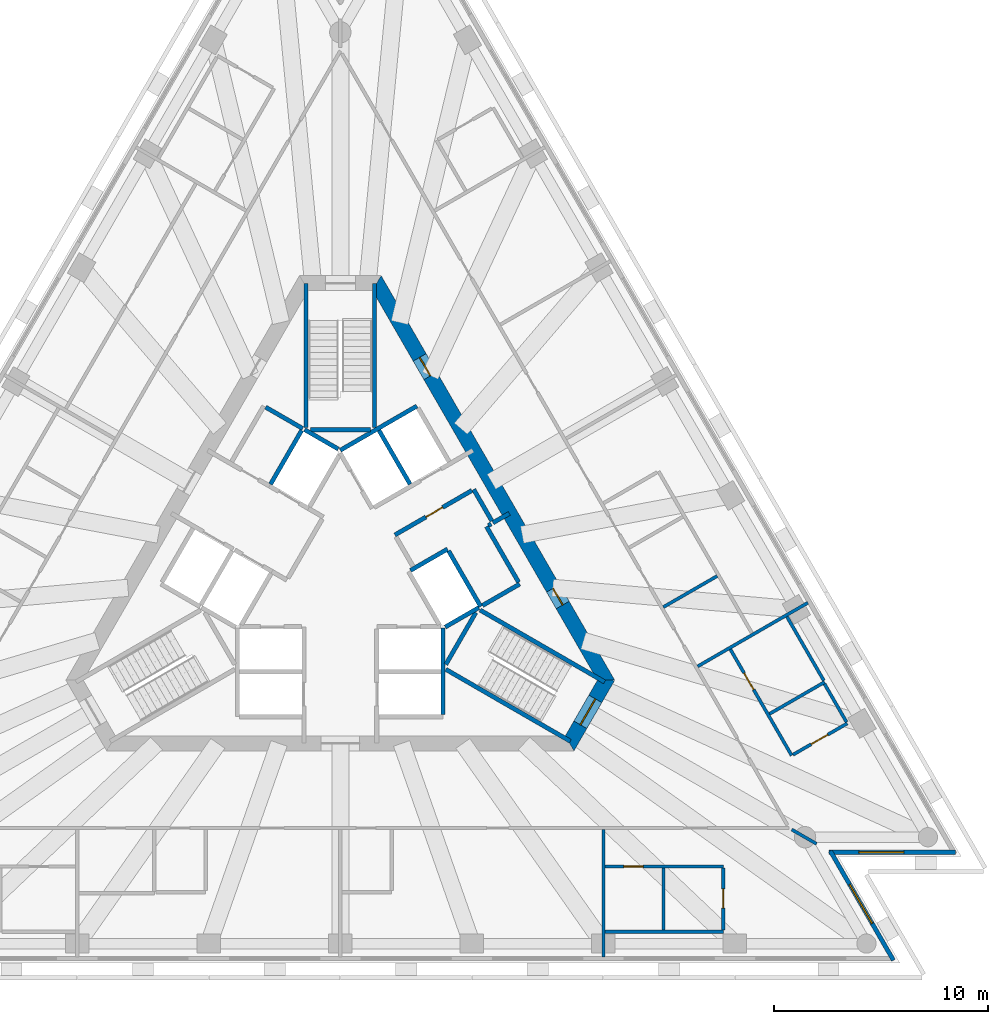
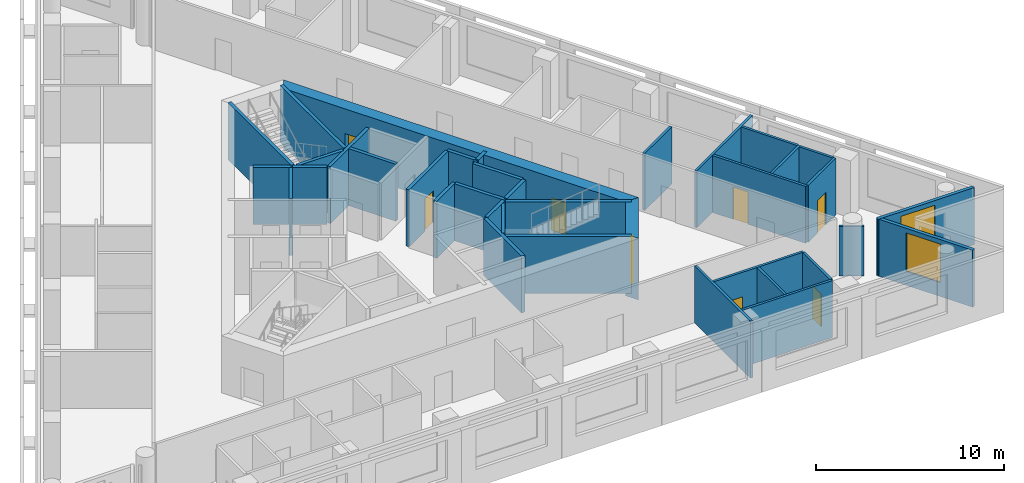
# One storey, part 5 of 9: 38 walls, 8 doors, 2 windows, 10 openings.
"""IFC4 building model written with IfcOpenShell, lengths in metres."""

from ifc_helpers import new_model, si_unit, direction, frame, frame_2d, origin, place, context, subcontext, project, spatial, polyline, rectangle, outline, extrude, material, layer, layer_set, layer_usage, type_object, element, fill, save


model = new_model("IFC4")

# Units and contexts
model_context = context("Model", 3, precision=1e-05, world=origin(), true_north=direction((0.0, 1.0)))
body_context = subcontext(model_context, "Body", "Model", "MODEL_VIEW")
ifc_project = project(units=[si_unit("LENGTHUNIT", "METRE"), si_unit("AREAUNIT", "SQUARE_METRE"), si_unit("VOLUMEUNIT", "CUBIC_METRE"), si_unit("PLANEANGLEUNIT", "RADIAN"), si_unit("MASSUNIT", "GRAM", prefix="KILO")], contexts=[model_context])

# Site, building, storey
site_placement = place(None, origin())
site = spatial("IfcSite", under=ifc_project, at=site_placement, CompositionType="ELEMENT")
building_placement = place(site_placement, origin())
building = spatial("IfcBuilding", under=site, at=building_placement, Name="Triada Interchange Tower", CompositionType="ELEMENT")
storey_placement = place(building_placement, frame((0.0, 0.0, 203.300048828125)))
storey = spatial("IfcBuildingStorey", under=building, at=storey_placement, Name="L47", CompositionType="ELEMENT", Elevation=203.300048828125)

# Walls
ifc_material_1 = material(Name="Concrete C30/37", Category="concrete")
ifc_layer_1 = layer(ifc_material_1, 0.199951171875)
ifc_layer_set_1 = layer_set([ifc_layer_1], Name="CORE WALL 200 EI 120")
wall_type_1 = type_object("IfcWallType", Name="CORE WALL 200 EI 120", PredefinedType="SOLIDWALL", material=ifc_layer_set_1)
wall_1_placement = place(storey_placement, frame((-0.001953125, 5.541015625, 0.0), z_axis=(0.0, 0.0, 1.0), x_axis=(0.86600155993, 0.500041296494, 0.0)))
element("IfcWall", 1, at=wall_1_placement, inside=storey, type_object=wall_type_1, Name="Wall L47 63", PredefinedType="SOLIDWALL", context=body_context, shape_type="SweptSolid", body=[
    extrude(rectangle(XDim=4.131591796875, YDim=0.199951171875, at=frame_2d((2.06591796875, 0.0))), origin(), (0.0, 0.0, 1.0), 3.699951171875),
])
wall_2_placement = place(storey_placement, frame((4.800048828125, -6.800048828125, 0.0), z_axis=(0.0, 0.0, 1.0), x_axis=(0.0, 1.0, 0.0)))
element("IfcWall", 2, at=wall_2_placement, inside=storey, type_object=wall_type_1, Name="Wall L47 68", PredefinedType="SOLIDWALL", context=body_context, shape_type="SweptSolid", body=[
    extrude(rectangle(XDim=4.029052734375, YDim=0.199951171875, at=frame_2d((2.0146484375, 0.0))), origin(), (0.0, 0.0, 1.0), 3.699951171875),
])
wall_3_placement = place(storey_placement, frame((3.278076171875, -0.071044921875, 0.0), z_axis=(0.0, 0.0, 1.0), x_axis=(0.865855657918, 0.500293893279, 0.0)))
element("IfcWall", 3, at=wall_3_placement, inside=storey, type_object=wall_type_1, Name="Wall L47 69", PredefinedType="SOLIDWALL", context=body_context, shape_type="SweptSolid", body=[
    extrude(rectangle(XDim=1.996826171875, YDim=0.199951171875, at=frame_2d((0.99853515625, 0.0))), origin(), (0.0, 0.0, 1.0), 3.699951171875),
])
wall_4_placement = place(storey_placement, frame((7.12890625, 2.153076171875, 0.0), z_axis=(0.0, 0.0, 1.0), x_axis=(0.866083962871, 0.499898558967, 0.0)))
element("IfcWall", 4, at=wall_4_placement, inside=storey, type_object=wall_type_1, Name="Wall L47 70", PredefinedType="SOLIDWALL", context=body_context, shape_type="SweptSolid", body=[
    extrude(rectangle(XDim=0.880126953125, YDim=0.199951171875, at=frame_2d((0.43994140625, 0.0))), origin(), (0.0, 0.0, 1.0), 3.699951171875),
])
wall_5_placement = place(storey_placement, frame((1.806884765625, 6.469970703125, 0.0), z_axis=(0.0, 0.0, 1.0), x_axis=(0.50012328804, -0.865954211699, 0.0)))
element("IfcWall", 5, at=wall_5_placement, inside=storey, type_object=wall_type_1, Name="Wall L47 72", PredefinedType="SOLIDWALL", context=body_context, shape_type="SweptSolid", body=[
    extrude(rectangle(XDim=2.899658203125, YDim=0.199951171875, at=frame_2d((1.44970703125, 0.0))), origin(), (0.0, 0.0, 1.0), 3.699951171875),
])
wall_6_placement = place(storey_placement, frame((5.056884765625, 0.841064453125, 0.0), z_axis=(0.0, 0.0, 1.0), x_axis=(0.499990139034, -0.866031096941, 0.0)))
element("IfcWall", 6, at=wall_6_placement, inside=storey, type_object=wall_type_1, Name="Wall L47 73", PredefinedType="SOLIDWALL", context=body_context, shape_type="SweptSolid", body=[
    extrude(rectangle(XDim=3.0, YDim=0.199951171875, at=frame_2d((1.5, 0.0))), origin(), (0.0, 0.0, 1.0), 3.699951171875),
])
wall_7_placement = place(storey_placement, frame((4.89990234375, -2.714111328125, 0.0), z_axis=(0.0, 0.0, 1.0), x_axis=(0.865846928409, 0.500309001083, 0.0)))
element("IfcWall", 7, at=wall_7_placement, inside=storey, type_object=wall_type_1, Name="Wall L47 74", PredefinedType="SOLIDWALL", context=body_context, shape_type="SweptSolid", body=[
    extrude(rectangle(XDim=1.813232421875, YDim=0.199951171875, at=frame_2d((0.90673828125, 0.0))), origin(), (0.0, 0.0, 1.0), 3.699951171875),
])
wall_8_placement = place(storey_placement, frame((6.22900390625, 3.7119140625, 0.0), z_axis=(0.0, 0.0, 1.0), x_axis=(0.499875724984, -0.86609714211, 0.0)))
element("IfcWall", 8, at=wall_8_placement, inside=storey, type_object=wall_type_1, Name="Wall L47 75", PredefinedType="SOLIDWALL", context=body_context, shape_type="SweptSolid", body=[
    extrude(rectangle(XDim=1.70068359375, YDim=0.199951171875, at=frame_2d((0.850341796875, 0.0))), origin(), (0.0, 0.0, 1.0), 3.699951171875),
])

# Wall, opening, door
wall_9_placement = place(storey_placement, frame((2.548095703125, 1.5869140625, 0.0), z_axis=(0.0, 0.0, 1.0), x_axis=(0.866004344652, 0.500036473714, 0.0)))
wall_9 = element("IfcWall", 9, at=wall_9_placement, inside=storey, type_object=wall_type_1, Name="Wall L47 76", PredefinedType="SOLIDWALL", context=body_context, shape_type="SweptSolid", body=[
    extrude(rectangle(XDim=4.150146484375, YDim=0.199951171875, at=frame_2d((2.0751953125, 0.0))), origin(), (0.0, 0.0, 1.0), 3.699951171875),
])
opening_1_placement = place(wall_9_placement, frame((1.675048828125, 0.0, 0.0)))
opening_1 = element("IfcOpeningElement", 10, at=opening_1_placement, cuts=wall_9, Name="Opening D47-51", PredefinedType="OPENING", context=body_context, shape_type="SweptSolid", body=[
    extrude(rectangle(XDim=0.89990234375, YDim=2.10009765625, at=frame_2d((0.449951171875, 1.050048828125))), frame((0.0, 0.10986328125, 0.0), z_axis=(0.0, -1.0, 0.0), x_axis=(1.0, 0.0, 0.0)), (0.0, 0.0, 1.0), 0.219970703125),
])
ifc_material_2 = material(Name="Steel S235 door leaf", Category="steel")
door_type_1 = type_object("IfcDoorType", Name="SERVICE DOOR 900 EI2 45-C5S200", OperationType="NOTDEFINED", PredefinedType="DOOR", material=ifc_material_2)
door_1_placement = place(opening_1_placement, origin())
door_1 = element("IfcDoor", 11, at=door_1_placement, inside=storey, type_object=door_type_1, Name="Door D47-51 L47", OperationType="SINGLE_SWING_RIGHT", OverallHeight=2.10009765625, OverallWidth=0.89990234375, PredefinedType="DOOR", context=body_context, shape_type="SweptSolid", body=[
    extrude(rectangle(XDim=0.89990234375, YDim=2.10009765625, at=frame_2d((0.449951171875, 1.050048828125))), frame((0.0, 0.02490234375, 0.0), z_axis=(0.0, -1.0, 0.0), x_axis=(1.0, 0.0, 0.0)), (0.0, 0.0, 1.0), 0.050048828125),
])
fill(opening_1, door_1)

# Walls
ifc_layer_2 = layer(ifc_material_1, 0.199951171875)
ifc_layer_set_2 = layer_set([ifc_layer_2], Name="CORE WALL 200 EI 180")
wall_type_2 = type_object("IfcWallType", Name="CORE WALL 200 EI 180", PredefinedType="SOLIDWALL", material=ifc_layer_set_2)
wall_10_placement = place(storey_placement, frame((-3.489013671875, 7.556884765625, 0.0), z_axis=(0.0, 0.0, 1.0), x_axis=(0.866010750942, -0.50002537861, 0.0)))
element("IfcWall", 12, at=wall_10_placement, inside=storey, type_object=wall_type_2, Name="Wall L47 83", PredefinedType="SOLIDWALL", context=body_context, shape_type="SweptSolid", body=[
    extrude(rectangle(XDim=2.0, YDim=0.199951171875, at=frame_2d((1.0, 0.0))), origin(), (0.0, 0.0, 1.0), 3.699951171875),
])
wall_11_placement = place(storey_placement, frame((-3.257080078125, 3.958984375, 0.0), z_axis=(0.0, 0.0, 1.0), x_axis=(0.50012328804, 0.865954211699, 0.0)))
element("IfcWall", 13, at=wall_11_placement, inside=storey, type_object=wall_type_2, Name="Shaft wall FF2 L47 90", PredefinedType="SOLIDWALL", context=body_context, shape_type="SweptSolid", body=[
    extrude(rectangle(XDim=2.899658203125, YDim=0.199951171875, at=frame_2d((1.44970703125, 0.0))), origin(), (0.0, 0.0, 1.0), 3.699951171875),
])
wall_12_placement = place(storey_placement, frame((-1.669921875, 6.507080078125, 0.0), z_axis=(0.0, 0.0, 1.0), x_axis=(0.865941441609, -0.500145398563, 0.0)))
element("IfcWall", 14, at=wall_12_placement, inside=storey, type_object=wall_type_2, Name="Shaft wall FF2 L47 91", PredefinedType="SOLIDWALL", context=body_context, shape_type="SweptSolid", body=[
    extrude(rectangle(XDim=1.8154296875, YDim=0.199951171875, at=frame_2d((0.90771484375, 0.0))), origin(), (0.0, 0.0, 1.0), 3.699951171875),
])
ifc_layer_3 = layer(ifc_material_1, 0.199951171875)
ifc_layer_set_3 = layer_set([ifc_layer_3], Name="CORE WALL 200 EI 90")
wall_type_3 = type_object("IfcWallType", Name="CORE WALL 200 EI 90", PredefinedType="SOLIDWALL", material=ifc_layer_set_3)
wall_13_placement = place(storey_placement, frame((6.64208984375, -1.7080078125, 0.0), z_axis=(0.0, 0.0, 1.0), x_axis=(0.866043441391, 0.499968756647, 0.0)))
element("IfcWall", 15, at=wall_13_placement, inside=storey, type_object=wall_type_3, Name="Wall L47 93", PredefinedType="SOLIDWALL", context=body_context, shape_type="SweptSolid", body=[
    extrude(rectangle(XDim=2.002197265625, YDim=0.199951171875, at=frame_2d((1.0009765625, 0.0))), origin(), (0.0, 0.0, 1.0), 3.699951171875),
])
wall_14_placement = place(storey_placement, frame((6.825927734375, 1.97802734375, 0.0), z_axis=(0.0, 0.0, 1.0), x_axis=(0.499990139034, -0.866031096941, 0.0)))
element("IfcWall", 16, at=wall_14_placement, inside=storey, type_object=wall_type_3, Name="Wall L47 94", PredefinedType="SOLIDWALL", context=body_context, shape_type="SweptSolid", body=[
    extrude(rectangle(XDim=3.0, YDim=0.199951171875, at=frame_2d((1.5, 0.0))), origin(), (0.0, 0.0, 1.0), 3.699951171875),
])
wall_15_placement = place(storey_placement, frame((6.912109375, 2.028076171875, 0.0), z_axis=(0.0, 0.0, 1.0), x_axis=(0.866559367082, 0.499074005857, 0.0)))
element("IfcWall", 17, at=wall_15_placement, inside=storey, type_object=wall_type_3, Name="Wall L47 95", PredefinedType="SOLIDWALL", context=body_context, shape_type="SweptSolid", body=[
    extrude(rectangle(XDim=0.152099609375, YDim=0.199951171875, at=frame_2d((0.076171875, 0.0))), origin(), (0.0, 0.0, 1.0), 3.699951171875),
])
ifc_layer_4 = layer(ifc_material_1, 0.199951171875)
ifc_layer_set_4 = layer_set([ifc_layer_4], Name="CORE WALL 200 REI 240")
wall_type_4 = type_object("IfcWallType", Name="CORE WALL 200 REI 240", PredefinedType="SOLIDWALL", material=ifc_layer_set_4)
wall_16_placement = place(storey_placement, frame((1.60009765625, 6.614990234375, 0.0), z_axis=(0.0, 0.0, 1.0), x_axis=(0.0, 1.0, 0.0)))
element("IfcWall", 18, at=wall_16_placement, inside=storey, type_object=wall_type_4, Name="Wall L47 99", PredefinedType="SOLIDWALL", context=body_context, shape_type="SweptSolid", body=[
    extrude(rectangle(XDim=6.715087890625, YDim=0.199951171875, at=frame_2d((3.357421875, 0.0))), origin(), (0.0, 0.0, 1.0), 3.699951171875),
])
wall_17_placement = place(storey_placement, frame((-1.39990234375, 6.5, 0.0), z_axis=(0.0, 0.0, 1.0), x_axis=(1.0, 0.0, 0.0)))
element("IfcWall", 19, at=wall_17_placement, inside=storey, type_object=wall_type_4, Name="Wall L47 100", PredefinedType="SOLIDWALL", context=body_context, shape_type="SweptSolid", body=[
    extrude(rectangle(XDim=2.7998046875, YDim=0.199951171875, at=frame_2d((1.39990234375, 0.0))), origin(), (0.0, 0.0, 1.0), 3.699951171875),
])
wall_18_placement = place(storey_placement, frame((-1.60009765625, 6.614990234375, 0.0), z_axis=(0.0, 0.0, 1.0), x_axis=(0.0, 1.0, 0.0)))
element("IfcWall", 20, at=wall_18_placement, inside=storey, type_object=wall_type_4, Name="Wall L47 101", PredefinedType="SOLIDWALL", context=body_context, shape_type="SweptSolid", body=[
    extrude(rectangle(XDim=6.715087890625, YDim=0.199951171875, at=frame_2d((3.357421875, 0.0))), origin(), (0.0, 0.0, 1.0), 3.699951171875),
])
wall_19_placement = place(storey_placement, frame((4.928955078125, -4.693115234375, 0.0), z_axis=(0.0, 0.0, 1.0), x_axis=(0.865983344943, -0.500072840975, 0.0)))
element("IfcWall", 21, at=wall_19_placement, inside=storey, type_object=wall_type_4, Name="Wall L47 102", PredefinedType="SOLIDWALL", context=body_context, shape_type="SweptSolid", body=[
    extrude(rectangle(XDim=6.71484375, YDim=0.199951171875, at=frame_2d((3.357421875, 0.0))), origin(), (0.0, 0.0, 1.0), 3.699951171875),
])
wall_20_placement = place(storey_placement, frame((4.928955078125, -4.4619140625, 0.0), z_axis=(0.0, 0.0, 1.0), x_axis=(0.500200581029, 0.865909567298, 0.0)))
element("IfcWall", 22, at=wall_20_placement, inside=storey, type_object=wall_type_4, Name="Wall L47 103", PredefinedType="SOLIDWALL", context=body_context, shape_type="SweptSolid", body=[
    extrude(rectangle(XDim=2.799072265625, YDim=0.199951171875, at=frame_2d((1.3994140625, 0.0))), origin(), (0.0, 0.0, 1.0), 3.699951171875),
])
wall_21_placement = place(storey_placement, frame((6.529052734375, -1.922119140625, 0.0), z_axis=(0.0, 0.0, 1.0), x_axis=(0.866046323291, -0.499963764601, 0.0)))
element("IfcWall", 23, at=wall_21_placement, inside=storey, type_object=wall_type_4, Name="Wall L47 104", PredefinedType="SOLIDWALL", context=body_context, shape_type="SweptSolid", body=[
    extrude(rectangle(XDim=6.71435546875, YDim=0.199951171875, at=frame_2d((3.357177734375, 0.0))), origin(), (0.0, 0.0, 1.0), 3.699951171875),
])

# Wall, opening, door
ifc_material_3 = material(Name="Concrete C50/60", Category="concrete")
ifc_layer_5 = layer(ifc_material_3, 0.699951171875)
ifc_layer_set_5 = layer_set([ifc_layer_5], Name="Core wall C 700")
wall_type_5 = type_object("IfcWallType", Name="Core wall C 700", PredefinedType="SHEAR", material=ifc_layer_set_5)
wall_22_placement = place(storey_placement, frame((10.7099609375, -8.14990234375, -0.300048828125), z_axis=(0.0, 0.0, 1.0), x_axis=(0.49999337185, 0.866029230515, 0.0)))
wall_22 = element("IfcWall", 24, at=wall_22_placement, inside=storey, type_object=wall_type_5, Name="Core wall WC05 L47", PredefinedType="SHEAR", context=body_context, shape_type="SweptSolid", body=[
    extrude(outline(polyline([(-0.201904296875, -0.35009765625), (1.703125, -0.35009765625), (3.60791015625, -0.35009765625), (3.2041015625, 0.35009765625), (1.703125, 0.35009765625), (0.201904296875, 0.35009765625), (-0.201904296875, -0.35009765625)])), origin(), (0.0, 0.0, 1.0), 4.0),
])
opening_2_placement = place(wall_22_placement, frame((1.0029296875, 0.0, 0.300048828125)))
opening_2 = element("IfcOpeningElement", 25, at=opening_2_placement, cuts=wall_22, Name="Opening D47-46", PredefinedType="OPENING", context=body_context, shape_type="SweptSolid", body=[
    extrude(rectangle(XDim=1.39990234375, YDim=2.10009765625, at=frame_2d((0.699951171875, 1.050048828125))), frame((0.0, 0.360107421875, 0.0), z_axis=(0.0, -1.0, 0.0), x_axis=(1.0, 0.0, 0.0)), (0.0, 0.0, 1.0), 0.72021484375),
])
door_type_2 = type_object("IfcDoorType", Name="STAIR DOOR 1400 EI2 90-C5S200", OperationType="DOUBLE_DOOR_SINGLE_SWING", PredefinedType="DOOR", material=ifc_material_2)
door_2_placement = place(opening_2_placement, origin())
door_2 = element("IfcDoor", 26, at=door_2_placement, inside=storey, type_object=door_type_2, Name="Door D47-46 L47", OperationType="DOUBLE_DOOR_SINGLE_SWING", OverallHeight=2.10009765625, OverallWidth=1.39990234375, PredefinedType="DOOR", context=body_context, shape_type="SweptSolid", body=[
    extrude(rectangle(XDim=1.39990234375, YDim=2.10009765625, at=frame_2d((0.699951171875, 1.050048828125))), frame((0.0, 0.02490234375, 0.0), z_axis=(0.0, -1.0, 0.0), x_axis=(1.0, 0.0, 0.0)), (0.0, 0.0, 1.0), 0.050048828125),
])
fill(opening_2, door_2)

# Wall, openings, doors
wall_23_placement = place(storey_placement, frame((12.4130859375, -5.199951171875, -0.300048828125), z_axis=(0.0, 0.0, 1.0), x_axis=(-0.500011533395, 0.866018744874, 0.0)))
wall_23 = element("IfcWall", 27, at=wall_23_placement, inside=storey, type_object=wall_type_5, Name="Core wall WC06 L47", PredefinedType="SHEAR", context=body_context, shape_type="SweptSolid", body=[
    extrude(outline(polyline([(-0.201904296875, -0.35009765625), (1.781982421875, -0.35009765625), (3.76611328125, -0.35009765625), (5.75, -0.35009765625), (7.734130859375, -0.35009765625), (9.718017578125, -0.35009765625), (11.7021484375, -0.35009765625), (13.68603515625, -0.35009765625), (15.670166015625, -0.35009765625), (17.654052734375, -0.35009765625), (19.63818359375, -0.35009765625), (21.6220703125, -0.35009765625), (21.218017578125, 0.35009765625), (19.307373046875, 0.35009765625), (17.39697265625, 0.35009765625), (15.486328125, 0.35009765625), (13.57568359375, 0.35009765625), (11.665283203125, 0.35009765625), (9.754638671875, 0.35009765625), (7.84423828125, 0.35009765625), (5.93359375, 0.35009765625), (4.02294921875, 0.35009765625), (2.112548828125, 0.35009765625), (0.201904296875, 0.35009765625), (-0.201904296875, -0.35009765625)])), origin(), (0.0, 0.0, 1.0), 4.0),
])
opening_3_placement = place(wall_23_placement, frame((4.054931640625, 0.0, 0.300048828125)))
opening_3 = element("IfcOpeningElement", 28, at=opening_3_placement, cuts=wall_23, Name="Opening D47-48", PredefinedType="OPENING", context=body_context, shape_type="SweptSolid", body=[
    extrude(rectangle(XDim=0.89990234375, YDim=2.10009765625, at=frame_2d((0.449951171875, 1.050048828125))), frame((0.0, 0.360107421875, 0.0), z_axis=(0.0, -1.0, 0.0), x_axis=(1.0, 0.0, 0.0)), (0.0, 0.0, 1.0), 0.72021484375),
])
opening_4_placement = place(wall_23_placement, frame((16.4150390625, 0.0, 0.300048828125)))
opening_4 = element("IfcOpeningElement", 29, at=opening_4_placement, cuts=wall_23, Name="Opening D47-50", PredefinedType="OPENING", context=body_context, shape_type="SweptSolid", body=[
    extrude(rectangle(XDim=1.0, YDim=2.10009765625, at=frame_2d((0.5, 1.050048828125))), frame((0.0, 0.360107421875, 0.0), z_axis=(0.0, -1.0, 0.0), x_axis=(1.0, 0.0, 0.0)), (0.0, 0.0, 1.0), 0.72021484375),
])
door_type_3 = type_object("IfcDoorType", Name="RISER ACCESS DOOR 900 EI2 45-C5S200", OperationType="NOTDEFINED", PredefinedType="DOOR", material=ifc_material_2)
door_3_placement = place(opening_3_placement, origin())
door_3 = element("IfcDoor", 30, at=door_3_placement, inside=storey, type_object=door_type_3, Name="Door D47-48 L47", OperationType="SINGLE_SWING_RIGHT", OverallHeight=2.10009765625, OverallWidth=0.89990234375, PredefinedType="DOOR", context=body_context, shape_type="SweptSolid", body=[
    extrude(rectangle(XDim=0.89990234375, YDim=2.10009765625, at=frame_2d((0.449951171875, 1.050048828125))), frame((0.0, 0.02490234375, 0.0), z_axis=(0.0, -1.0, 0.0), x_axis=(1.0, 0.0, 0.0)), (0.0, 0.0, 1.0), 0.050048828125),
])
fill(opening_3, door_3)
door_type_4 = type_object("IfcDoorType", Name="SERVICE DOOR 1000 EI2 45-C5S200", OperationType="NOTDEFINED", PredefinedType="DOOR", material=ifc_material_2)
door_4_placement = place(opening_4_placement, origin())
door_4 = element("IfcDoor", 31, at=door_4_placement, inside=storey, type_object=door_type_4, Name="Door D47-50 L47", OperationType="SINGLE_SWING_RIGHT", OverallHeight=2.10009765625, OverallWidth=1.0, PredefinedType="DOOR", context=body_context, shape_type="SweptSolid", body=[
    extrude(rectangle(XDim=1.0, YDim=2.10009765625, at=frame_2d((0.5, 1.050048828125))), frame((0.0, 0.02490234375, 0.0), z_axis=(0.0, -1.0, 0.0), x_axis=(1.0, 0.0, 0.0)), (0.0, 0.0, 1.0), 0.050048828125),
])
fill(opening_4, door_4)

# Wall, opening, window
ifc_material_4 = material(Name="Cement board")
ifc_layer_6 = layer(ifc_material_4, 0.02001953125, Name="Cement board cladding")
ifc_material_5 = material(Name="Sheathing board")
ifc_layer_7 = layer(ifc_material_5, 0.014892578125, Name="Sheathing board")
ifc_material_6 = material(Name="Mineral wool")
ifc_layer_8 = layer(ifc_material_6, 0.14990234375, Name="Mineral wool between steel studs")
ifc_material_7 = material(Name="Gypsum board")
ifc_layer_9 = layer(ifc_material_7, 0.014892578125, Name="Plasterboard lining")
ifc_layer_set_6 = layer_set([ifc_layer_6, ifc_layer_7, ifc_layer_8, ifc_layer_9], Name="External wall 200")
ifc_layer_usage = layer_usage(ifc_layer_set_6, "AXIS2", "POSITIVE", -0.10009765625)
wall_type_6 = type_object("IfcWallType", Name="External wall 200", PredefinedType="ELEMENTEDWALL", material=ifc_layer_set_6)
wall_24_placement = place(storey_placement, frame((25.8349609375, -18.280029296875, 0.0), z_axis=(0.0, 0.0, 1.0), x_axis=(-0.499989993172, 0.866031181152, 0.0)))
wall_24 = element("IfcWall", 32, at=wall_24_placement, inside=storey, type_object=wall_type_6, material=ifc_layer_usage, Name="External wall L47 SE-1", PredefinedType="ELEMENTEDWALL", context=body_context, shape_type="SweptSolid", body=[
    extrude(rectangle(XDim=5.89794921875, YDim=0.199951171875, at=frame_2d((2.948974609375, 0.0))), origin(), (0.0, 0.0, 1.0), 3.699951171875),
])
opening_5_placement = place(wall_24_placement, frame((1.989990234375, 0.0, 0.89990234375)))
opening_5 = element("IfcOpeningElement", 33, at=opening_5_placement, cuts=wall_24, Name="Opening WC19", PredefinedType="OPENING", context=body_context, shape_type="SweptSolid", body=[
    extrude(rectangle(XDim=2.10009765625, YDim=2.5, at=frame_2d((1.050048828125, 1.25))), frame((0.0, 0.10986328125, 0.0), z_axis=(0.0, -1.0, 0.0), x_axis=(1.0, 0.0, 0.0)), (0.0, 0.0, 1.0), 0.219970703125),
])
ifc_material_8 = material(Name="Double glazed aluminium window", Category="aluminium")
window_type = type_object("IfcWindowType", Name="Ribbon window C pocket", PartitioningType="SINGLE_PANEL", PredefinedType="WINDOW", material=ifc_material_8)
window_1_placement = place(opening_5_placement, origin())
window_1 = element("IfcWindow", 34, at=window_1_placement, inside=storey, type_object=window_type, Name="Window L47 SE-1 1", OverallHeight=2.5, OverallWidth=2.10009765625, PartitioningType="SINGLE_PANEL", PredefinedType="WINDOW", context=body_context, shape_type="SweptSolid", body=[
    extrude(rectangle(XDim=2.10009765625, YDim=2.5, at=frame_2d((1.050048828125, 1.25))), frame((0.0, 0.030029296875, 0.0), z_axis=(0.0, -1.0, 0.0), x_axis=(1.0, 0.0, 0.0)), (0.0, 0.0, 1.0), 0.06005859375),
])
fill(opening_5, window_1)

wall_25_placement = place(storey_placement, frame((22.8310546875, -13.23291015625, 0.0), z_axis=(0.0, 0.0, 1.0), x_axis=(1.0, 0.0, 0.0)))
wall_25 = element("IfcWall", 35, at=wall_25_placement, inside=storey, type_object=wall_type_6, material=ifc_layer_usage, Name="External wall L47 SE-2", PredefinedType="ELEMENTEDWALL", context=body_context, shape_type="SweptSolid", body=[
    extrude(rectangle(XDim=5.89794921875, YDim=0.199951171875, at=frame_2d((2.948974609375, 0.0))), origin(), (0.0, 0.0, 1.0), 3.699951171875),
])
opening_6_placement = place(wall_25_placement, frame((1.389892578125, 0.0, 0.89990234375)))
opening_6 = element("IfcOpeningElement", 36, at=opening_6_placement, cuts=wall_25, Name="Opening WC20", PredefinedType="OPENING", context=body_context, shape_type="SweptSolid", body=[
    extrude(rectangle(XDim=2.10009765625, YDim=2.5, at=frame_2d((1.050048828125, 1.25))), frame((0.0, 0.10986328125, 0.0), z_axis=(0.0, -1.0, 0.0), x_axis=(1.0, 0.0, 0.0)), (0.0, 0.0, 1.0), 0.219970703125),
])
window_2_placement = place(opening_6_placement, origin())
window_2 = element("IfcWindow", 37, at=window_2_placement, inside=storey, type_object=window_type, Name="Window L47 SE-2 1", OverallHeight=2.5, OverallWidth=2.10009765625, PartitioningType="SINGLE_PANEL", PredefinedType="WINDOW", context=body_context, shape_type="SweptSolid", body=[
    extrude(rectangle(XDim=2.10009765625, YDim=2.5, at=frame_2d((1.050048828125, 1.25))), frame((0.0, 0.030029296875, 0.0), z_axis=(0.0, -1.0, 0.0), x_axis=(1.0, 0.0, 0.0)), (0.0, 0.0, 1.0), 0.06005859375),
])
fill(opening_6, window_2)

# Walls
ifc_material_9 = material(Name="Gypsum board partition")
ifc_layer_10 = layer(ifc_material_9, 0.14990234375)
ifc_layer_set_7 = layer_set([ifc_layer_10], Name="PARTITION 150 EI 180")
wall_type_7 = type_object("IfcWallType", Name="PARTITION 150 EI 180", PredefinedType="PARTITIONING", material=ifc_layer_set_7)
wall_26_placement = place(storey_placement, frame((21.0869140625, -12.175048828125, 0.0), z_axis=(0.0, 0.0, 1.0), x_axis=(0.8662585361, -0.499595985407, 0.0)))
element("IfcWall", 38, at=wall_26_placement, inside=storey, type_object=wall_type_7, Name="Wall L47 10", PredefinedType="PARTITIONING", context=body_context, shape_type="SweptSolid", body=[
    extrude(rectangle(XDim=1.3369140625, YDim=0.14990234375, at=frame_2d((0.66845703125, 0.0))), origin(), (0.0, 0.0, 1.0), 3.199951171875),
])
wall_27_placement = place(storey_placement, frame((12.2890625, -18.1220703125, 0.0), z_axis=(0.0, 0.0, 1.0), x_axis=(0.0, 1.0, 0.0)))
element("IfcWall", 39, at=wall_27_placement, inside=storey, type_object=wall_type_7, Name="Wall L47 27", PredefinedType="PARTITIONING", context=body_context, shape_type="SweptSolid", body=[
    extrude(rectangle(XDim=5.947021484375, YDim=0.14990234375, at=frame_2d((2.9736328125, 0.0))), origin(), (0.0, 0.0, 1.0), 3.699951171875),
])
wall_28_placement = place(storey_placement, frame((15.087890625, -1.783935546875, 0.0), z_axis=(0.0, 0.0, 1.0), x_axis=(0.866034280428, 0.499984624887, 0.0)))
element("IfcWall", 40, at=wall_28_placement, inside=storey, type_object=wall_type_7, Name="Wall L47 29", PredefinedType="PARTITIONING", context=body_context, shape_type="SweptSolid", body=[
    extrude(rectangle(XDim=2.90185546875, YDim=0.14990234375, at=frame_2d((1.450927734375, 0.0))), origin(), (0.0, 0.0, 1.0), 3.699951171875),
])
wall_29_placement = place(storey_placement, frame((16.68798828125, -4.554931640625, 0.0), z_axis=(0.0, 0.0, 1.0), x_axis=(0.866034527326, 0.49998419723, 0.0)))
element("IfcWall", 41, at=wall_29_placement, inside=storey, type_object=wall_type_7, Name="Wall L47 30", PredefinedType="PARTITIONING", context=body_context, shape_type="SweptSolid", body=[
    extrude(rectangle(XDim=5.947998046875, YDim=0.14990234375, at=frame_2d((2.97412109375, 0.0))), origin(), (0.0, 0.0, 1.0), 3.699951171875),
])

# Wall, opening, door
ifc_layer_11 = layer(ifc_material_9, 0.14990234375)
ifc_layer_set_8 = layer_set([ifc_layer_11], Name="PARTITION 150 EI 90")
wall_type_8 = type_object("IfcWallType", Name="PARTITION 150 EI 90", PredefinedType="PARTITIONING", material=ifc_layer_set_8)
wall_30_placement = place(storey_placement, frame((12.364013671875, -13.89990234375, 0.0), z_axis=(0.0, 0.0, 1.0), x_axis=(1.0, 0.0, 0.0)))
wall_30 = element("IfcWall", 42, at=wall_30_placement, inside=storey, type_object=wall_type_8, Name="Wall L47 33", PredefinedType="PARTITIONING", context=body_context, shape_type="SweptSolid", body=[
    extrude(rectangle(XDim=5.52490234375, YDim=0.14990234375, at=frame_2d((2.762451171875, 0.0))), origin(), (0.0, 0.0, 1.0), 3.699951171875),
])
opening_7_placement = place(wall_30_placement, frame((0.875, 0.0, 0.0)))
opening_7 = element("IfcOpeningElement", 43, at=opening_7_placement, cuts=wall_30, Name="Opening D47-20", PredefinedType="OPENING", context=body_context, shape_type="SweptSolid", body=[
    extrude(rectangle(XDim=0.89990234375, YDim=2.10009765625, at=frame_2d((0.449951171875, 1.050048828125))), frame((0.0, 0.0849609375, 0.0), z_axis=(0.0, -1.0, 0.0), x_axis=(1.0, 0.0, 0.0)), (0.0, 0.0, 1.0), 0.169921875),
])
door_type_5 = type_object("IfcDoorType", Name="ROOM DOOR 900 EI2 45-C5S200", OperationType="NOTDEFINED", PredefinedType="DOOR", material=ifc_material_2)
door_5_placement = place(opening_7_placement, origin())
door_5 = element("IfcDoor", 44, at=door_5_placement, inside=storey, type_object=door_type_5, Name="Door D47-20 L47", OperationType="SINGLE_SWING_RIGHT", OverallHeight=2.10009765625, OverallWidth=0.89990234375, PredefinedType="DOOR", context=body_context, shape_type="SweptSolid", body=[
    extrude(rectangle(XDim=0.89990234375, YDim=2.10009765625, at=frame_2d((0.449951171875, 1.050048828125))), frame((0.0, 0.02490234375, 0.0), z_axis=(0.0, -1.0, 0.0), x_axis=(1.0, 0.0, 0.0)), (0.0, 0.0, 1.0), 0.050048828125),
])
fill(opening_7, door_5)

# Wall
wall_31_placement = place(storey_placement, frame((12.364013671875, -16.950927734375, 0.0), z_axis=(0.0, 0.0, 1.0), x_axis=(1.0, 0.0, 0.0)))
element("IfcWall", 45, at=wall_31_placement, inside=storey, type_object=wall_type_8, Name="Wall L47 37", PredefinedType="PARTITIONING", context=body_context, shape_type="SweptSolid", body=[
    extrude(rectangle(XDim=5.52490234375, YDim=0.14990234375, at=frame_2d((2.762451171875, 0.0))), origin(), (0.0, 0.0, 1.0), 3.699951171875),
])

# Wall, opening, door
wall_32_placement = place(storey_placement, frame((17.888916015625, -16.8759765625, 0.0), z_axis=(0.0, 0.0, 1.0), x_axis=(0.0, 1.0, 0.0)))
wall_32 = element("IfcWall", 46, at=wall_32_placement, inside=storey, type_object=wall_type_8, Name="Wall L47 43", PredefinedType="PARTITIONING", context=body_context, shape_type="SweptSolid", body=[
    extrude(rectangle(XDim=2.90087890625, YDim=0.14990234375, at=frame_2d((1.450439453125, 0.0))), origin(), (0.0, 0.0, 1.0), 3.699951171875),
])
opening_8_placement = place(wall_32_placement, frame((1.02587890625, 0.0, 0.0)))
opening_8 = element("IfcOpeningElement", 47, at=opening_8_placement, cuts=wall_32, Name="Opening D47-21", PredefinedType="OPENING", context=body_context, shape_type="SweptSolid", body=[
    extrude(rectangle(XDim=0.89990234375, YDim=2.10009765625, at=frame_2d((0.449951171875, 1.050048828125))), frame((0.0, 0.0849609375, 0.0), z_axis=(0.0, -1.0, 0.0), x_axis=(1.0, 0.0, 0.0)), (0.0, 0.0, 1.0), 0.169921875),
])
door_6_placement = place(opening_8_placement, origin())
door_6 = element("IfcDoor", 48, at=door_6_placement, inside=storey, type_object=door_type_5, Name="Door D47-21 L47", OperationType="SINGLE_SWING_LEFT", OverallHeight=2.10009765625, OverallWidth=0.89990234375, PredefinedType="DOOR", context=body_context, shape_type="SweptSolid", body=[
    extrude(rectangle(XDim=0.89990234375, YDim=2.10009765625, at=frame_2d((0.449951171875, 1.050048828125))), frame((0.0, 0.02490234375, 0.0), z_axis=(0.0, -1.0, 0.0), x_axis=(1.0, 0.0, 0.0)), (0.0, 0.0, 1.0), 0.050048828125),
])
fill(opening_8, door_6)

# Walls
wall_33_placement = place(storey_placement, frame((15.089111328125, -16.8759765625, 0.0), z_axis=(0.0, 0.0, 1.0), x_axis=(0.0, 1.0, 0.0)))
element("IfcWall", 49, at=wall_33_placement, inside=storey, type_object=wall_type_8, Name="Wall L47 44", PredefinedType="PARTITIONING", context=body_context, shape_type="SweptSolid", body=[
    extrude(rectangle(XDim=2.90087890625, YDim=0.14990234375, at=frame_2d((1.450439453125, 0.0))), origin(), (0.0, 0.0, 1.0), 3.699951171875),
])
wall_34_placement = place(storey_placement, frame((20.047119140625, -6.77197265625, 0.0), z_axis=(0.0, 0.0, 1.0), x_axis=(0.865987462095, 0.500065711177, 0.0)))
element("IfcWall", 50, at=wall_34_placement, inside=storey, type_object=wall_type_8, Name="Wall L47 45", PredefinedType="PARTITIONING", context=body_context, shape_type="SweptSolid", body=[
    extrude(rectangle(XDim=2.9755859375, YDim=0.14990234375, at=frame_2d((1.48779296875, 0.0))), origin(), (0.0, 0.0, 1.0), 3.699951171875),
])
wall_35_placement = place(storey_placement, frame((20.862060546875, -2.23193359375, 0.0), z_axis=(0.0, 0.0, 1.0), x_axis=(0.499936846106, -0.866061862632, 0.0)))
element("IfcWall", 51, at=wall_35_placement, inside=storey, type_object=wall_type_8, Name="Wall L47 47", PredefinedType="PARTITIONING", context=body_context, shape_type="SweptSolid", body=[
    extrude(rectangle(XDim=3.4501953125, YDim=0.14990234375, at=frame_2d((1.72509765625, 0.0))), origin(), (0.0, 0.0, 1.0), 3.699951171875),
])

# Wall, opening, door
wall_36_placement = place(storey_placement, frame((18.219970703125, -3.757080078125, 0.0), z_axis=(0.0, 0.0, 1.0), x_axis=(0.499941490393, -0.866059181686, 0.0)))
wall_36 = element("IfcWall", 52, at=wall_36_placement, inside=storey, type_object=wall_type_8, Name="Wall L47 49", PredefinedType="PARTITIONING", context=body_context, shape_type="SweptSolid", body=[
    extrude(rectangle(XDim=5.724853515625, YDim=0.14990234375, at=frame_2d((2.8623046875, 0.0))), origin(), (0.0, 0.0, 1.0), 3.699951171875),
])
opening_9_placement = place(wall_36_placement, frame((1.27490234375, 0.0, 0.0)))
opening_9 = element("IfcOpeningElement", 53, at=opening_9_placement, cuts=wall_36, Name="Opening D47-23", PredefinedType="OPENING", context=body_context, shape_type="SweptSolid", body=[
    extrude(rectangle(XDim=0.89990234375, YDim=2.10009765625, at=frame_2d((0.449951171875, 1.050048828125))), frame((0.0, 0.0849609375, 0.0), z_axis=(0.0, -1.0, 0.0), x_axis=(1.0, 0.0, 0.0)), (0.0, 0.0, 1.0), 0.169921875),
])
door_7_placement = place(opening_9_placement, origin())
door_7 = element("IfcDoor", 54, at=door_7_placement, inside=storey, type_object=door_type_5, Name="Door D47-23 L47", OperationType="SINGLE_SWING_LEFT", OverallHeight=2.10009765625, OverallWidth=0.89990234375, PredefinedType="DOOR", context=body_context, shape_type="SweptSolid", body=[
    extrude(rectangle(XDim=0.89990234375, YDim=2.10009765625, at=frame_2d((0.449951171875, 1.050048828125))), frame((0.0, 0.02490234375, 0.0), z_axis=(0.0, -1.0, 0.0), x_axis=(1.0, 0.0, 0.0)), (0.0, 0.0, 1.0), 0.050048828125),
])
fill(opening_9, door_7)

wall_37_placement = place(storey_placement, frame((21.14697265625, -8.677978515625, 0.0), z_axis=(0.0, 0.0, 1.0), x_axis=(0.865953438489, 0.500124626836, 0.0)))
wall_37 = element("IfcWall", 55, at=wall_37_placement, inside=storey, type_object=wall_type_8, Name="Wall L47 50", PredefinedType="PARTITIONING", context=body_context, shape_type="SweptSolid", body=[
    extrude(rectangle(XDim=2.925048828125, YDim=0.14990234375, at=frame_2d((1.46240234375, 0.0))), origin(), (0.0, 0.0, 1.0), 3.699951171875),
])
opening_10_placement = place(wall_37_placement, frame((0.97509765625, 0.0, 0.0)))
opening_10 = element("IfcOpeningElement", 56, at=opening_10_placement, cuts=wall_37, Name="Opening D47-24", PredefinedType="OPENING", context=body_context, shape_type="SweptSolid", body=[
    extrude(rectangle(XDim=0.89990234375, YDim=2.10009765625, at=frame_2d((0.449951171875, 1.050048828125))), frame((0.0, 0.0849609375, 0.0), z_axis=(0.0, -1.0, 0.0), x_axis=(1.0, 0.0, 0.0)), (0.0, 0.0, 1.0), 0.169921875),
])
door_8_placement = place(opening_10_placement, origin())
door_8 = element("IfcDoor", 57, at=door_8_placement, inside=storey, type_object=door_type_1, Name="Door D47-24 L47", OperationType="SINGLE_SWING_RIGHT", OverallHeight=2.10009765625, OverallWidth=0.89990234375, PredefinedType="DOOR", context=body_context, shape_type="SweptSolid", body=[
    extrude(rectangle(XDim=0.89990234375, YDim=2.10009765625, at=frame_2d((0.449951171875, 1.050048828125))), frame((0.0, 0.02490234375, 0.0), z_axis=(0.0, -1.0, 0.0), x_axis=(1.0, 0.0, 0.0)), (0.0, 0.0, 1.0), 0.050048828125),
])
fill(opening_10, door_8)

# Wall
wall_38_placement = place(storey_placement, frame((22.617919921875, -5.375, 0.0), z_axis=(0.0, 0.0, 1.0), x_axis=(0.50014860279, -0.865939590923, 0.0)))
element("IfcWall", 58, at=wall_38_placement, inside=storey, type_object=wall_type_8, Name="Wall L47 51", PredefinedType="PARTITIONING", context=body_context, shape_type="SweptSolid", body=[
    extrude(rectangle(XDim=2.0498046875, YDim=0.14990234375, at=frame_2d((1.02490234375, 0.0))), origin(), (0.0, 0.0, 1.0), 3.699951171875),
])

save(model, "model.ifc")
